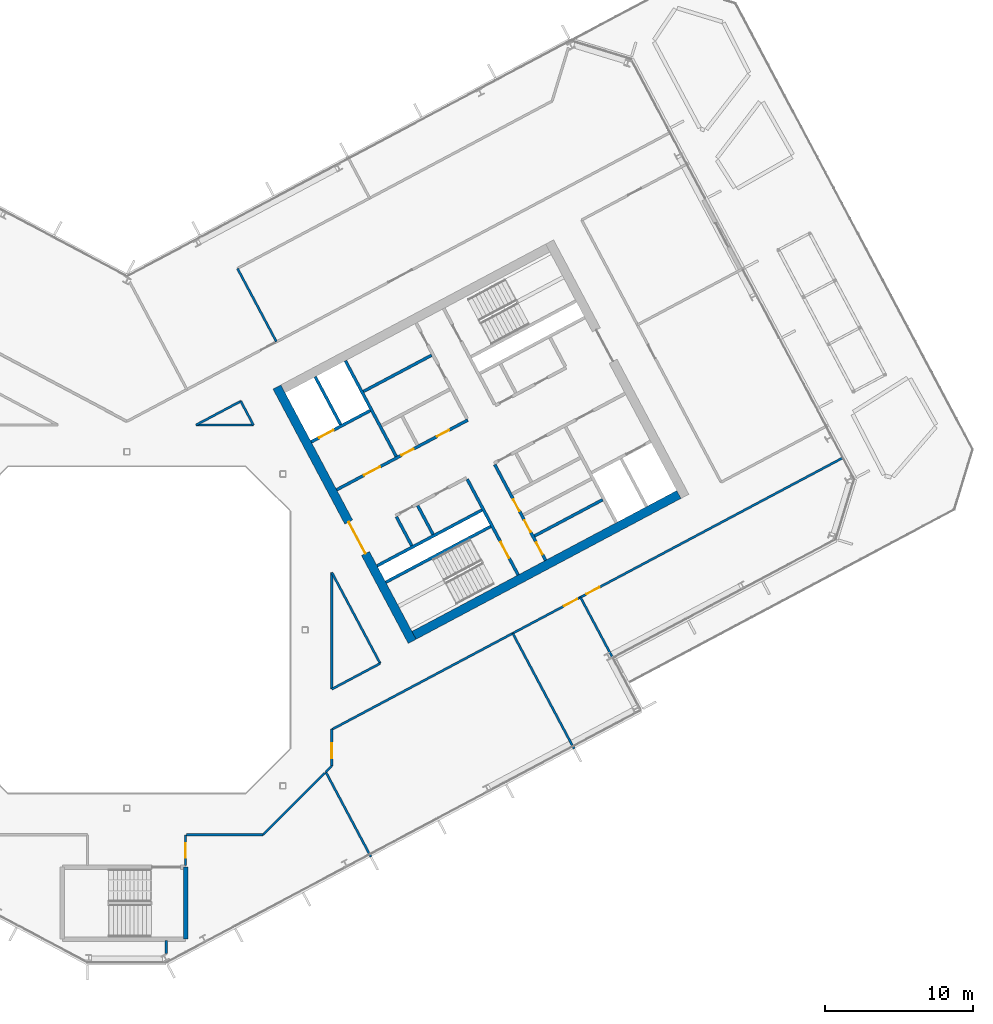
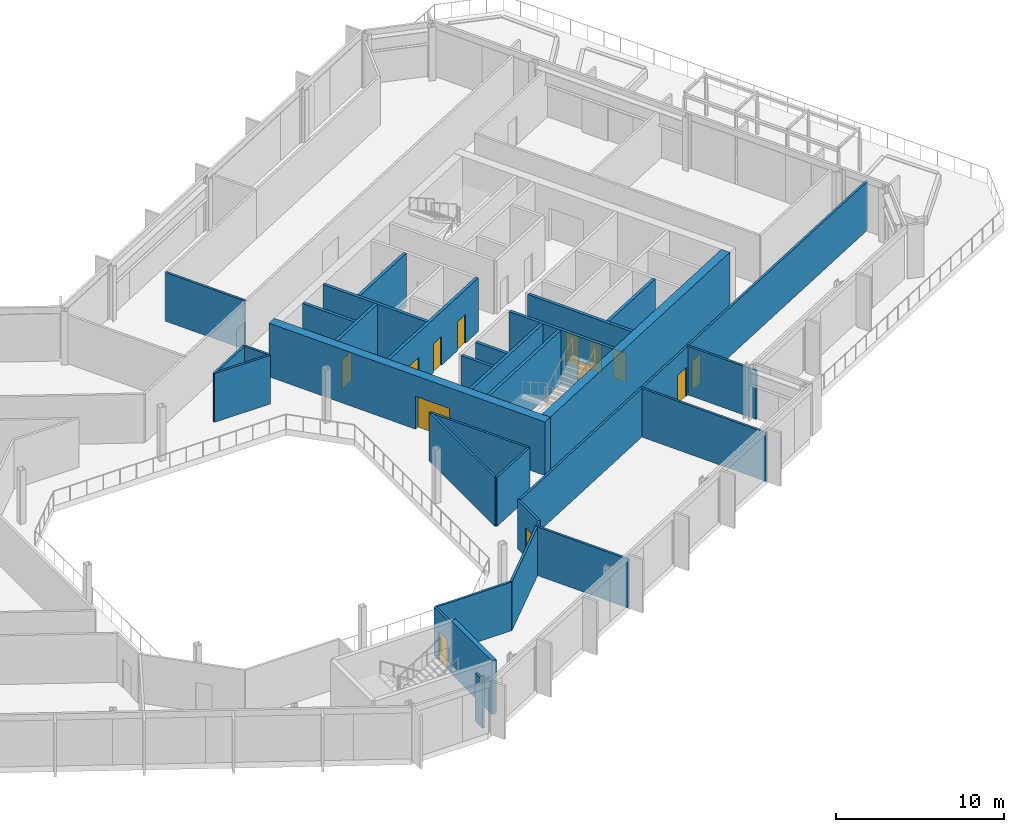
# One storey, part 18 of 31: 32 walls, 13 doors, 13 openings.
"""IFC4 building model written with IfcOpenShell, lengths in metres."""

import ifcopenshell
import ifcopenshell.guid

model = None  # the IFC model being written
_history = None  # IfcOwnerHistory: only IFC2X3 demands one
_inside = {}  # id of a spatial element -> (the spatial element, [elements in it])
_under = {}  # id of a project, library or spatial element -> (it, [spatial elements below it])
_declared = {}  # id of a project -> (the project, [libraries it declares])
_typed = {}  # id of a type object -> (the type object, [elements of that type])
_made_of = {}  # id of a material, layer set ... -> (it, [elements and type objects made of it])


def new_model(schema):
    """Start an empty IFC model of exactly this schema.

    Asked for "IFC4X3", IfcOpenShell would pick the latest addendum, in which some entities
    have other attributes; the version numbers below select the first issue.
    IFC2X3 requires an IfcOwnerHistory on every rooted entity: one is made here for all.
    """
    global model, _history
    if schema == "IFC4X3":
        model = ifcopenshell.file(schema_version=(4, 3, 0, 0))
    else:
        model = ifcopenshell.file(schema=schema)
    _inside.clear()
    _under.clear()
    _declared.clear()
    _typed.clear()
    _made_of.clear()
    _history = None
    if model.schema == "IFC2X3":
        org = make("IfcOrganization", Name="unknown")
        user = make(
            "IfcPersonAndOrganization",
            ThePerson=make("IfcPerson", FamilyName="unknown"),
            TheOrganization=org,
        )
        app = make(
            "IfcApplication",
            ApplicationDeveloper=org,
            Version="unknown",
            ApplicationFullName="unknown",
            ApplicationIdentifier="unknown",
        )
        _history = make(
            "IfcOwnerHistory",
            OwningUser=user,
            OwningApplication=app,
            ChangeAction="ADDED",
            CreationDate=0,
        )
    return model


def make(cls, **values):
    """One entity of the class cls with the attributes given. An attribute that is None is left unset."""
    return model.create_entity(
        cls, **{name: value for name, value in values.items() if value is not None}
    )


def rooted(cls, **values):
    """An entity with a GlobalId (a new one), such as an element, a storey or a relation."""
    return make(cls, GlobalId=ifcopenshell.guid.new(), OwnerHistory=_history, **values)


def si_unit(unit_type, name, prefix=None):
    """IfcSIUnit, for example si_unit("LENGTHUNIT", "METRE", prefix="MILLI")."""
    return make("IfcSIUnit", UnitType=unit_type, Prefix=prefix, Name=name)


def assignment(units):
    """IfcUnitAssignment: the units of a project."""
    return None if units is None else make("IfcUnitAssignment", Units=units)


def point(xyz):
    """IfcCartesianPoint."""
    return None if xyz is None else make("IfcCartesianPoint", Coordinates=xyz)


def direction(xyz):
    """IfcDirection."""
    return None if xyz is None else make("IfcDirection", DirectionRatios=xyz)


def frame(location, z_axis=None, x_axis=None):
    """IfcAxis2Placement3D, a coordinate frame: its origin and axes. An axis left out is left unset."""
    return make(
        "IfcAxis2Placement3D",
        Location=point(location),
        Axis=direction(z_axis),
        RefDirection=direction(x_axis),
    )


def frame_2d(location, x_axis=None):
    """IfcAxis2Placement2D, a coordinate frame in the plane: its origin and x axis."""
    return make(
        "IfcAxis2Placement2D", Location=point(location), RefDirection=direction(x_axis)
    )


def origin():
    """The frame at (0, 0, 0) with its axes left unset."""
    return frame((0.0, 0.0, 0.0))


def place(relative_to, where):
    """IfcLocalPlacement: puts the frame where relative to a parent placement (None: the world)."""
    return make(
        "IfcLocalPlacement", PlacementRelTo=relative_to, RelativePlacement=where
    )


def context(
    kind, dimensions, precision=None, world=None, true_north=None, identifier=None
):
    """IfcGeometricRepresentationContext, for example the 3D "Model" context."""
    return make(
        "IfcGeometricRepresentationContext",
        ContextIdentifier=identifier,
        ContextType=kind,
        CoordinateSpaceDimension=dimensions,
        Precision=precision,
        WorldCoordinateSystem=world,
        TrueNorth=true_north,
    )


def subcontext(parent, identifier, kind, view, scale=None):
    """IfcGeometricRepresentationSubContext, for example "Body" below "Model"."""
    return make(
        "IfcGeometricRepresentationSubContext",
        ContextIdentifier=identifier,
        ContextType=kind,
        ParentContext=parent,
        TargetScale=scale,
        TargetView=view,
    )


def project(units=None, contexts=None):
    """IfcProject with its units and contexts."""
    return rooted(
        "IfcProject",
        Name="project",
        RepresentationContexts=contexts,
        UnitsInContext=assignment(units),
    )


def spatial(cls, under=None, at=None, **own):
    """A site, building, storey or space (cls), placed at a placement, below another one or the project."""
    s = rooted(cls, ObjectPlacement=at, **own)
    if under is not None:
        _under.setdefault(under.id(), (under, []))[1].append(s)
    return s


def profile(cls, at=None, kind="AREA", **sizes):
    """A parametric profile (cls). Its sizes go by their IFC names, for example OverallWidth=200.0."""
    return make(cls, ProfileType=kind, Position=at, **sizes)


def rectangle(**sizes):
    """IfcRectangleProfileDef."""
    return profile("IfcRectangleProfileDef", **sizes)


def extrude(swept, where, along, depth):
    """IfcExtrudedAreaSolid: the profile swept, set in the frame where, extruded along a direction by depth."""
    return make(
        "IfcExtrudedAreaSolid",
        SweptArea=swept,
        Position=where,
        ExtrudedDirection=direction(along),
        Depth=depth,
    )


def shape(context_of_items, identifier, shape_type, items):
    """IfcShapeRepresentation: the items that make up one representation, for example the "Body"."""
    return make(
        "IfcShapeRepresentation",
        ContextOfItems=context_of_items,
        RepresentationIdentifier=identifier,
        RepresentationType=shape_type,
        Items=items,
    )


def material(Name=None, Category=None):
    """IfcMaterial."""
    return make("IfcMaterial", Name=Name, Category=Category)


def layer(
    of_material, thickness, ventilated=None, Name=None, Category=None, Priority=None
):
    """IfcMaterialLayer: one layer of a wall or slab, of a material (None: an air gap)."""
    return make(
        "IfcMaterialLayer",
        Material=of_material,
        LayerThickness=thickness,
        IsVentilated=ventilated,
        Name=Name,
        Category=Category,
        Priority=Priority,
    )


def layer_set(layers, Name=None):
    """IfcMaterialLayerSet."""
    return make("IfcMaterialLayerSet", MaterialLayers=layers, LayerSetName=Name)


def made_of(thing, what):
    """Note that an element or type object is made of a material, layer set ...; save() writes the relation."""
    if what is not None:
        _made_of.setdefault(what.id(), (what, []))[1].append(thing)
    return thing


def type_object(cls, material=None, **own):
    """A type object (cls), such as IfcWallType, which elements share."""
    return made_of(rooted(cls, **own), material)


def element(
    cls,
    number,
    at=None,
    inside=None,
    cuts=None,
    type_object=None,
    material=None,
    context=None,
    identifier="Body",
    shape_type=None,
    held_by="IfcProductDefinitionShape",
    body=None,
    shapes=None,
    **own,
):
    """One element of the class cls, such as IfcWall. Its Tag is "e" and its number.

    at: its placement. inside: the storey or other place that contains it. cuts: it is an
    opening in that element (IfcRelVoidsElement). A single representation is given by context,
    identifier, shape_type and body (its items); several are given by shapes. held_by: the class
    of the entity that holds the representations. save() writes the other relations.
    """
    e = rooted(cls, Tag="e%d" % number, ObjectPlacement=at, **own)
    if body is not None:
        shapes = [shape(context, identifier, shape_type, body)]
    if shapes is not None:
        e.Representation = make(held_by, Representations=shapes)
    if inside is not None:
        _inside.setdefault(inside.id(), (inside, []))[1].append(e)
    if cuts is not None:
        rooted(
            "IfcRelVoidsElement", RelatingBuildingElement=cuts, RelatedOpeningElement=e
        )
    if type_object is not None:
        _typed.setdefault(type_object.id(), (type_object, []))[1].append(e)
    return made_of(e, material)


def fill(opening, filler):
    """IfcRelFillsElement: the door or window that sits in an opening."""
    return rooted(
        "IfcRelFillsElement",
        RelatingOpeningElement=opening,
        RelatedBuildingElement=filler,
    )


def aggregate(whole, parts):
    """IfcRelAggregates: a whole, such as a stair, and the parts it consists of."""
    return rooted("IfcRelAggregates", RelatingObject=whole, RelatedObjects=parts)


def save(model, path):
    """Write the relations noted so far, then the file.

    IfcRelAggregates (storeys below a building ...), IfcRelContainedInSpatialStructure (elements
    in a storey), IfcRelDefinesByType, IfcRelAssociatesMaterial and IfcRelDeclares: one each for
    every whole, place, type object, material and project.
    """
    for whole, parts in _under.values():
        aggregate(whole, parts)
    for where, things in _inside.values():
        rooted(
            "IfcRelContainedInSpatialStructure",
            RelatedElements=things,
            RelatingStructure=where,
        )
    for kind, things in _typed.values():
        rooted("IfcRelDefinesByType", RelatedObjects=things, RelatingType=kind)
    for what, things in _made_of.values():
        rooted("IfcRelAssociatesMaterial", RelatedObjects=things, RelatingMaterial=what)
    for by, libraries in _declared.values():
        rooted("IfcRelDeclares", RelatingContext=by, RelatedDefinitions=libraries)
    model.write(path)


model = new_model("IFC4")

# Units and contexts
model_context = context("Model", 3, precision=1e-05, world=origin(), true_north=direction((0.0, 1.0)))
body_context = subcontext(model_context, "Body", "Model", "MODEL_VIEW")
ifc_project = project(units=[si_unit("LENGTHUNIT", "METRE"), si_unit("AREAUNIT", "SQUARE_METRE"), si_unit("VOLUMEUNIT", "CUBIC_METRE"), si_unit("PLANEANGLEUNIT", "RADIAN"), si_unit("MASSUNIT", "GRAM", prefix="KILO")], contexts=[model_context])

# Site, building, storey
site_placement = place(None, origin())
site = spatial("IfcSite", under=ifc_project, at=site_placement, CompositionType="ELEMENT")
building_placement = place(site_placement, origin())
building = spatial("IfcBuilding", under=site, at=building_placement, Name="Cormorant Relay Tower", CompositionType="ELEMENT")
storey_placement = place(building_placement, frame((0.0, 0.0, 189.60009765625)))
storey = spatial("IfcBuildingStorey", under=building, at=storey_placement, Name="L40", CompositionType="ELEMENT", Elevation=189.60009765625)

# Walls
ifc_material_1 = material(Name="Concrete 40 MPa", Category="concrete")
ifc_layer_1 = layer(ifc_material_1, 0.199951171875)
ifc_layer_set_1 = layer_set([ifc_layer_1], Name="Core internal wall 200")
wall_type_1 = type_object("IfcWallType", Name="Core internal wall 200", PredefinedType="SOLIDWALL", material=ifc_layer_set_1)
wall_1_placement = place(storey_placement, frame((20.614013671875, 6.430419921875, 0.0), z_axis=(0.0, 0.0, 1.0), x_axis=(-0.4694473164, 0.882960484464, 0.0)))
element("IfcWall", 1, at=wall_1_placement, inside=storey, type_object=wall_type_1, Name="L40 core B shaft and room wall", PredefinedType="SOLIDWALL", context=body_context, shape_type="SweptSolid", body=[
    extrude(rectangle(XDim=2.199951171875, YDim=0.199951171875, at=frame_2d((1.10009765625, 0.0))), origin(), (0.0, 0.0, 1.0), 3.89990234375),
])
for number, where, z_axis, x_axis, name in (
    (2, (27.443359375, 6.32421875, 0.0), (0.0, 0.0, 1.0), (0.882953967957, 0.469459572775, 0.0), "L40 core B shaft and room wall"),
    (3, (15.92626953125, 16.056396484375, 0.0), (0.0, 0.0, 1.0), (0.882953967957, 0.469459572775, 0.0), "L40 core B shaft and room wall"),
):
    element("IfcWall", number, at=place(storey_placement, frame(where, z_axis=z_axis, x_axis=x_axis)), inside=storey, type_object=wall_type_1, Name=name, PredefinedType="SOLIDWALL", context=body_context, shape_type="SweptSolid", body=[
        extrude(rectangle(XDim=5.199951171875, YDim=0.199951171875, at=frame_2d((2.60009765625, 0.0))), origin(), (0.0, 0.0, 1.0), 3.89990234375),
    ])
ifc_material_2 = material(Name="Concrete 50 MPa", Category="concrete")
ifc_layer_2 = layer(ifc_material_2, 0.199951171875)
ifc_layer_set_2 = layer_set([ifc_layer_2], Name="Core shaft wall 200")
wall_type_2 = type_object("IfcWallType", Name="Core shaft wall 200", PredefinedType="SHEAR", material=ifc_layer_set_2)
wall_2_placement = place(storey_placement, frame((14.39404296875, 13.825927734375, 0.0), z_axis=(0.0, 0.0, 1.0), x_axis=(-0.469494272526, 0.882935517501, 0.0)))
element("IfcWall", 4, at=wall_2_placement, inside=storey, type_object=wall_type_2, Name="L40 core B shaft wall", PredefinedType="SHEAR", context=body_context, shape_type="SweptSolid", body=[
    extrude(rectangle(XDim=3.64990234375, YDim=0.199951171875, at=frame_2d((1.824951171875, 0.0))), origin(), (0.0, 0.0, 1.0), 3.89990234375),
])
wall_3_placement = place(storey_placement, frame((19.18359375, 5.669921875, 0.0), z_axis=(0.0, 0.0, 1.0), x_axis=(-0.4694473164, 0.882960484464, 0.0)))
element("IfcWall", 5, at=wall_3_placement, inside=storey, type_object=wall_type_2, Name="L40 core B shaft wall", PredefinedType="SHEAR", context=body_context, shape_type="SweptSolid", body=[
    extrude(rectangle(XDim=2.199951171875, YDim=0.199951171875, at=frame_2d((1.10009765625, 0.0))), origin(), (0.0, 0.0, 1.0), 3.89990234375),
])
wall_4_placement = place(storey_placement, frame((18.138427734375, 11.682861328125, 0.0), z_axis=(0.0, 0.0, 1.0), x_axis=(-0.469480409012, 0.88294288918, 0.0)))
element("IfcWall", 6, at=wall_4_placement, inside=storey, type_object=wall_type_2, Name="L40 core B shaft wall", PredefinedType="SHEAR", context=body_context, shape_type="SweptSolid", body=[
    extrude(rectangle(XDim=7.300048828125, YDim=0.199951171875, at=frame_2d((3.64990234375, 0.0))), origin(), (0.0, 0.0, 1.0), 3.89990234375),
])

# Wall, opening, door
wall_5_placement = place(storey_placement, frame((26.345947265625, 3.701904296875, 0.0), z_axis=(0.0, 0.0, 1.0), x_axis=(-0.469480409012, 0.88294288918, 0.0)))
wall_5 = element("IfcWall", 7, at=wall_5_placement, inside=storey, type_object=wall_type_2, Name="L40 core B shaft wall", PredefinedType="SHEAR", context=body_context, shape_type="SweptSolid", body=[
    extrude(rectangle(XDim=7.300048828125, YDim=0.199951171875, at=frame_2d((3.64990234375, 0.0))), origin(), (0.0, 0.0, 1.0), 3.89990234375),
])
opening_1_placement = place(wall_5_placement, frame((1.300048828125, 0.0, 0.0)))
opening_1 = element("IfcOpeningElement", 8, at=opening_1_placement, cuts=wall_5, Name="Opening CDB-040", PredefinedType="OPENING", context=body_context, shape_type="SweptSolid", body=[
    extrude(rectangle(XDim=1.199951171875, YDim=2.10009765625, at=frame_2d((0.60009765625, 1.050048828125))), frame((0.0, 0.10986328125, 0.0), z_axis=(0.0, -1.0, 0.0), x_axis=(1.0, 0.0, 0.0)), (0.0, 0.0, 1.0), 0.219970703125),
])
ifc_material_3 = material(Name="Steel fire door", Category="steel")
door_type_1 = type_object("IfcDoorType", Name="Core stair door 1200x2100", OperationType="SINGLE_SWING_LEFT", PredefinedType="DOOR", material=ifc_material_3)
door_1_placement = place(opening_1_placement, origin())
door_1 = element("IfcDoor", 9, at=door_1_placement, inside=storey, type_object=door_type_1, Name="Core stair door 1200x2100", OperationType="SINGLE_SWING_RIGHT", OverallHeight=2.10009765625, OverallWidth=1.199951171875, PredefinedType="DOOR", context=body_context, shape_type="SweptSolid", body=[
    extrude(rectangle(XDim=1.199951171875, YDim=2.10009765625, at=frame_2d((0.60009765625, 1.050048828125))), frame((0.0, 0.02490234375, 0.0), z_axis=(0.0, -1.0, 0.0), x_axis=(1.0, 0.0, 0.0)), (0.0, 0.0, 1.0), 0.050048828125),
])
fill(opening_1, door_1)

# Wall, openings, doors
wall_6_placement = place(storey_placement, frame((28.199951171875, 4.687744140625, 0.0), z_axis=(0.0, 0.0, 1.0), x_axis=(-0.469454336211, 0.882956752176, 0.0)))
wall_6 = element("IfcWall", 10, at=wall_6_placement, inside=storey, type_object=wall_type_2, Name="L40 core B shaft wall", PredefinedType="SHEAR", context=body_context, shape_type="SweptSolid", body=[
    extrude(rectangle(XDim=7.300048828125, YDim=0.199951171875, at=frame_2d((3.64990234375, 0.0))), origin(), (0.0, 0.0, 1.0), 3.89990234375),
])
opening_2_placement = place(wall_6_placement, frame((0.449951171875, 0.0, 0.0)))
opening_2 = element("IfcOpeningElement", 11, at=opening_2_placement, cuts=wall_6, Name="Opening CDD-251", PredefinedType="OPENING", context=body_context, shape_type="SweptSolid", body=[
    extrude(rectangle(XDim=0.89990234375, YDim=2.10009765625, at=frame_2d((0.449951171875, 1.050048828125))), frame((0.0, 0.10986328125, 0.0), z_axis=(0.0, -1.0, 0.0), x_axis=(1.0, 0.0, 0.0)), (0.0, 0.0, 1.0), 0.219970703125),
])
opening_3_placement = place(wall_6_placement, frame((2.14990234375, 0.0, 0.0)))
opening_3 = element("IfcOpeningElement", 12, at=opening_3_placement, cuts=wall_6, Name="Opening CDD-252", PredefinedType="OPENING", context=body_context, shape_type="SweptSolid", body=[
    extrude(rectangle(XDim=0.89990234375, YDim=2.10009765625, at=frame_2d((0.449951171875, 1.050048828125))), frame((0.0, 0.10986328125, 0.0), z_axis=(0.0, -1.0, 0.0), x_axis=(1.0, 0.0, 0.0)), (0.0, 0.0, 1.0), 0.219970703125),
])
opening_4_placement = place(wall_6_placement, frame((3.75, 0.0, 0.0)))
opening_4 = element("IfcOpeningElement", 13, at=opening_4_placement, cuts=wall_6, Name="Opening CDD-253", PredefinedType="OPENING", context=body_context, shape_type="SweptSolid", body=[
    extrude(rectangle(XDim=0.89990234375, YDim=2.10009765625, at=frame_2d((0.449951171875, 1.050048828125))), frame((0.0, 0.10986328125, 0.0), z_axis=(0.0, -1.0, 0.0), x_axis=(1.0, 0.0, 0.0)), (0.0, 0.0, 1.0), 0.219970703125),
])
ifc_material_4 = material(Name="Steel fire door", Category="steel")
door_type_2 = type_object("IfcDoorType", Name="Core room door 900x2100", OperationType="SINGLE_SWING_LEFT", PredefinedType="DOOR", material=ifc_material_4)
door_2_placement = place(opening_2_placement, frame((0.89990234375, 0.0, 0.0), z_axis=(0.0, 0.0, 1.0), x_axis=(-1.0, 0.0, 0.0)))
door_2 = element("IfcDoor", 14, at=door_2_placement, inside=storey, type_object=door_type_2, Name="Core room door 900x2100", OperationType="SINGLE_SWING_LEFT", OverallHeight=2.10009765625, OverallWidth=0.89990234375, PredefinedType="DOOR", context=body_context, shape_type="SweptSolid", body=[
    extrude(rectangle(XDim=0.89990234375, YDim=2.10009765625, at=frame_2d((0.449951171875, 1.050048828125))), frame((0.0, 0.02490234375, 0.0), z_axis=(0.0, -1.0, 0.0), x_axis=(1.0, 0.0, 0.0)), (0.0, 0.0, 1.0), 0.050048828125),
])
fill(opening_2, door_2)
door_3_placement = place(opening_3_placement, frame((0.89990234375, 0.0, 0.0), z_axis=(0.0, 0.0, 1.0), x_axis=(-1.0, 0.0, 0.0)))
door_3 = element("IfcDoor", 15, at=door_3_placement, inside=storey, type_object=door_type_2, Name="Core room door 900x2100", OperationType="SINGLE_SWING_LEFT", OverallHeight=2.10009765625, OverallWidth=0.89990234375, PredefinedType="DOOR", context=body_context, shape_type="SweptSolid", body=[
    extrude(rectangle(XDim=0.89990234375, YDim=2.10009765625, at=frame_2d((0.449951171875, 1.050048828125))), frame((0.0, 0.02490234375, 0.0), z_axis=(0.0, -1.0, 0.0), x_axis=(1.0, 0.0, 0.0)), (0.0, 0.0, 1.0), 0.050048828125),
])
fill(opening_3, door_3)
door_4_placement = place(opening_4_placement, frame((0.89990234375, 0.0, 0.0), z_axis=(0.0, 0.0, 1.0), x_axis=(-1.0, 0.0, 0.0)))
door_4 = element("IfcDoor", 16, at=door_4_placement, inside=storey, type_object=door_type_2, Name="Core room door 900x2100", OperationType="SINGLE_SWING_LEFT", OverallHeight=2.10009765625, OverallWidth=0.89990234375, PredefinedType="DOOR", context=body_context, shape_type="SweptSolid", body=[
    extrude(rectangle(XDim=0.89990234375, YDim=2.10009765625, at=frame_2d((0.449951171875, 1.050048828125))), frame((0.0, 0.02490234375, 0.0), z_axis=(0.0, -1.0, 0.0), x_axis=(1.0, 0.0, 0.0)), (0.0, 0.0, 1.0), 0.050048828125),
])
fill(opening_4, door_4)

# Walls
for number, where, z_axis, x_axis, name in (
    (17, (17.43359375, 3.210205078125, 0.0), (0.0, 0.0, 1.0), (0.882940221191, 0.469485426614, 0.0), "L40 core B shaft wall"),
    (18, (16.8466796875, 4.31396484375, 0.0), (0.0, 0.0, 1.0), (0.882940221191, 0.469485426614, 0.0), "L40 core B shaft wall"),
):
    element("IfcWall", number, at=place(storey_placement, frame(where, z_axis=z_axis, x_axis=x_axis)), inside=storey, type_object=wall_type_2, Name=name, PredefinedType="SHEAR", context=body_context, shape_type="SweptSolid", body=[
        extrude(rectangle(XDim=8.0, YDim=0.199951171875, at=frame_2d((4.0, 0.0))), origin(), (0.0, 0.0, 1.0), 3.89990234375),
    ])

# Wall, openings, doors
wall_7_placement = place(storey_placement, frame((14.123779296875, 9.43505859375, 0.0), z_axis=(0.0, 0.0, 1.0), x_axis=(0.882940221191, 0.469485426614, 0.0)))
wall_7 = element("IfcWall", 19, at=wall_7_placement, inside=storey, type_object=wall_type_2, Name="L40 core B shaft wall", PredefinedType="SHEAR", context=body_context, shape_type="SweptSolid", body=[
    extrude(rectangle(XDim=10.0, YDim=0.199951171875, at=frame_2d((5.0, 0.0))), origin(), (0.0, 0.0, 1.0), 3.89990234375),
])
opening_5_placement = place(wall_7_placement, frame((2.10009765625, 0.0, 0.0)))
opening_5 = element("IfcOpeningElement", 20, at=opening_5_placement, cuts=wall_7, Name="Opening CDC-035", PredefinedType="OPENING", context=body_context, shape_type="SweptSolid", body=[
    extrude(rectangle(XDim=1.199951171875, YDim=2.10009765625, at=frame_2d((0.60009765625, 1.050048828125))), frame((0.0, 0.10986328125, 0.0), z_axis=(0.0, -1.0, 0.0), x_axis=(1.0, 0.0, 0.0)), (0.0, 0.0, 1.0), 0.219970703125),
])
opening_6_placement = place(wall_7_placement, frame((4.9599609375, 0.0, 0.0)))
opening_6 = element("IfcOpeningElement", 21, at=opening_6_placement, cuts=wall_7, Name="Opening CDD-241", PredefinedType="OPENING", context=body_context, shape_type="SweptSolid", body=[
    extrude(rectangle(XDim=0.89990234375, YDim=2.10009765625, at=frame_2d((0.449951171875, 1.050048828125))), frame((0.0, 0.10986328125, 0.0), z_axis=(0.0, -1.0, 0.0), x_axis=(1.0, 0.0, 0.0)), (0.0, 0.0, 1.0), 0.219970703125),
])
opening_7_placement = place(wall_7_placement, frame((7.659912109375, 0.0, 0.0)))
opening_7 = element("IfcOpeningElement", 22, at=opening_7_placement, cuts=wall_7, Name="Opening CDD-242", PredefinedType="OPENING", context=body_context, shape_type="SweptSolid", body=[
    extrude(rectangle(XDim=0.89990234375, YDim=2.10009765625, at=frame_2d((0.449951171875, 1.050048828125))), frame((0.0, 0.10986328125, 0.0), z_axis=(0.0, -1.0, 0.0), x_axis=(1.0, 0.0, 0.0)), (0.0, 0.0, 1.0), 0.219970703125),
])
ifc_material_5 = material(Name="Steel fire door", Category="steel")
door_type_3 = type_object("IfcDoorType", Name="Core lobby door 1200x2100", OperationType="SINGLE_SWING_LEFT", PredefinedType="DOOR", material=ifc_material_5)
door_5_placement = place(opening_5_placement, frame((1.199951171875, 0.0, 0.0), z_axis=(0.0, 0.0, 1.0), x_axis=(-1.0, 0.0, 0.0)))
door_5 = element("IfcDoor", 23, at=door_5_placement, inside=storey, type_object=door_type_3, Name="Core lobby door 1200x2100", OperationType="SINGLE_SWING_RIGHT", OverallHeight=2.10009765625, OverallWidth=1.199951171875, PredefinedType="DOOR", context=body_context, shape_type="SweptSolid", body=[
    extrude(rectangle(XDim=1.199951171875, YDim=2.10009765625, at=frame_2d((0.60009765625, 1.050048828125))), frame((0.0, 0.02490234375, 0.0), z_axis=(0.0, -1.0, 0.0), x_axis=(1.0, 0.0, 0.0)), (0.0, 0.0, 1.0), 0.050048828125),
])
fill(opening_5, door_5)
door_6_placement = place(opening_6_placement, frame((0.89990234375, 0.0, 0.0), z_axis=(0.0, 0.0, 1.0), x_axis=(-1.0, 0.0, 0.0)))
door_6 = element("IfcDoor", 24, at=door_6_placement, inside=storey, type_object=door_type_2, Name="Core room door 900x2100", OperationType="SINGLE_SWING_RIGHT", OverallHeight=2.10009765625, OverallWidth=0.89990234375, PredefinedType="DOOR", context=body_context, shape_type="SweptSolid", body=[
    extrude(rectangle(XDim=0.89990234375, YDim=2.10009765625, at=frame_2d((0.449951171875, 1.050048828125))), frame((0.0, 0.02490234375, 0.0), z_axis=(0.0, -1.0, 0.0), x_axis=(1.0, 0.0, 0.0)), (0.0, 0.0, 1.0), 0.050048828125),
])
fill(opening_6, door_6)
door_7_placement = place(opening_7_placement, frame((0.89990234375, 0.0, 0.0), z_axis=(0.0, 0.0, 1.0), x_axis=(-1.0, 0.0, 0.0)))
door_7 = element("IfcDoor", 25, at=door_7_placement, inside=storey, type_object=door_type_2, Name="Core room door 900x2100", OperationType="SINGLE_SWING_RIGHT", OverallHeight=2.10009765625, OverallWidth=0.89990234375, PredefinedType="DOOR", context=body_context, shape_type="SweptSolid", body=[
    extrude(rectangle(XDim=0.89990234375, YDim=2.10009765625, at=frame_2d((0.449951171875, 1.050048828125))), frame((0.0, 0.02490234375, 0.0), z_axis=(0.0, -1.0, 0.0), x_axis=(1.0, 0.0, 0.0)), (0.0, 0.0, 1.0), 0.050048828125),
])
fill(opening_7, door_7)

# Wall, opening, door
wall_8_placement = place(storey_placement, frame((12.41015625, 12.657958984375, 0.0), z_axis=(0.0, 0.0, 1.0), x_axis=(0.8829484765, 0.469469900894, 0.0)))
wall_8 = element("IfcWall", 26, at=wall_8_placement, inside=storey, type_object=wall_type_2, Name="L40 core B shaft wall", PredefinedType="SHEAR", context=body_context, shape_type="SweptSolid", body=[
    extrude(rectangle(XDim=4.499755859375, YDim=0.199951171875, at=frame_2d((2.25, 0.0))), origin(), (0.0, 0.0, 1.0), 3.89990234375),
])
opening_8_placement = place(wall_8_placement, frame((0.60009765625, 0.0, 0.0)))
opening_8 = element("IfcOpeningElement", 27, at=opening_8_placement, cuts=wall_8, Name="Opening LD1-064", PredefinedType="OPENING", context=body_context, shape_type="SweptSolid", body=[
    extrude(rectangle(XDim=1.10009765625, YDim=2.10009765625, at=frame_2d((0.550048828125, 1.050048828125))), frame((0.0, 0.10986328125, 0.0), z_axis=(0.0, -1.0, 0.0), x_axis=(1.0, 0.0, 0.0)), (0.0, 0.0, 1.0), 0.219970703125),
])
ifc_material_6 = material(Name="Stainless steel 316", Category="steel")
door_type_4 = type_object("IfcDoorType", Name="Lift landing door 1100x2100", OperationType="DOUBLE_DOOR_SLIDING", PredefinedType="DOOR", material=ifc_material_6)
door_8_placement = place(opening_8_placement, origin())
door_8 = element("IfcDoor", 28, at=door_8_placement, inside=storey, type_object=door_type_4, Name="FF2 landing door", OperationType="DOUBLE_DOOR_SLIDING", OverallHeight=2.10009765625, OverallWidth=1.10009765625, PredefinedType="DOOR", context=body_context, shape_type="SweptSolid", body=[
    extrude(rectangle(XDim=1.10009765625, YDim=2.10009765625, at=frame_2d((0.550048828125, 1.050048828125))), frame((0.0, 0.02490234375, 0.0), z_axis=(0.0, -1.0, 0.0), x_axis=(1.0, 0.0, 0.0)), (0.0, 0.0, 1.0), 0.050048828125),
])
fill(opening_8, door_8)

ifc_material_7 = material(Name="Concrete 50 MPa", Category="concrete")
ifc_layer_3 = layer(ifc_material_7, 0.60009765625)
ifc_layer_set_3 = layer_set([ifc_layer_3], Name="Core wall 600")
wall_type_3 = type_object("IfcWallType", Name="Core wall 600", PredefinedType="SHEAR", material=ifc_layer_set_3)
wall_9_placement = place(storey_placement, frame((19.210693359375, -0.771484375, 0.0), z_axis=(0.0, 0.0, 1.0), x_axis=(-0.469463742137, 0.882951751127, 0.0)))
wall_9 = element("IfcWall", 29, at=wall_9_placement, inside=storey, type_object=wall_type_3, Name="L40 core B wall", PredefinedType="SHEAR", context=body_context, shape_type="SweptSolid", body=[
    extrude(rectangle(XDim=19.400146484375, YDim=0.60009765625, at=frame_2d((9.7001953125, 0.0))), origin(), (0.0, 0.0, 1.0), 3.89990234375),
])
opening_9_placement = place(wall_9_placement, frame((6.699951171875, 0.0, 0.0)))
opening_9 = element("IfcOpeningElement", 30, at=opening_9_placement, cuts=wall_9, Name="Opening CDA-042", PredefinedType="OPENING", context=body_context, shape_type="SweptSolid", body=[
    extrude(rectangle(XDim=2.39990234375, YDim=2.39990234375, at=frame_2d((1.199951171875, 1.199951171875))), frame((0.0, 0.31005859375, 0.0), z_axis=(0.0, -1.0, 0.0), x_axis=(1.0, 0.0, 0.0)), (0.0, 0.0, 1.0), 0.6201171875),
])
ifc_material_8 = material(Name="Steel fire door", Category="steel")
door_type_5 = type_object("IfcDoorType", Name="Core lobby door 2400x2400", OperationType="DOUBLE_DOOR_SINGLE_SWING", PredefinedType="DOOR", material=ifc_material_8)
door_9_placement = place(opening_9_placement, frame((2.39990234375, 0.0, 0.0), z_axis=(0.0, 0.0, 1.0), x_axis=(-1.0, 0.0, 0.0)))
door_9 = element("IfcDoor", 31, at=door_9_placement, inside=storey, type_object=door_type_5, Name="Core lobby door 2400x2400", OperationType="DOUBLE_DOOR_SINGLE_SWING", OverallHeight=2.39990234375, OverallWidth=2.39990234375, PredefinedType="DOOR", context=body_context, shape_type="SweptSolid", body=[
    extrude(rectangle(XDim=2.39990234375, YDim=2.39990234375, at=frame_2d((1.199951171875, 1.199951171875))), frame((0.0, 0.02490234375, 0.0), z_axis=(0.0, -1.0, 0.0), x_axis=(1.0, 0.0, 0.0)), (0.0, 0.0, 1.0), 0.050048828125),
])
fill(opening_9, door_9)

# Wall
wall_10_placement = place(storey_placement, frame((19.3349609375, -0.36572265625, 0.0), z_axis=(0.0, 0.0, 1.0), x_axis=(0.88294509198, 0.469476266226, 0.0)))
element("IfcWall", 32, at=wall_10_placement, inside=storey, type_object=wall_type_3, Name="L40 core B wall", PredefinedType="SHEAR", context=body_context, shape_type="SweptSolid", body=[
    extrude(rectangle(XDim=20.199951171875, YDim=0.60009765625, at=frame_2d((10.10009765625, 0.0))), origin(), (0.0, 0.0, 1.0), 3.89990234375),
])

# Wall, opening, door
ifc_material_9 = material(Name="Gypsum board fire partition")
ifc_layer_4 = layer(ifc_material_9, 0.14990234375)
ifc_layer_set_4 = layer_set([ifc_layer_4], Name="Corridor partition 150 EI 60")
wall_type_4 = type_object("IfcWallType", Name="Corridor partition 150 EI 60", PredefinedType="PARTITIONING", material=ifc_layer_set_4)
wall_11_placement = place(storey_placement, frame((3.949951171875, -13.800048828125, 0.0), z_axis=(0.0, 0.0, 1.0), x_axis=(0.0, -1.0, 0.0)))
wall_11 = element("IfcWall", 33, at=wall_11_placement, inside=storey, type_object=wall_type_4, Name="wall/L40/part/026", PredefinedType="PARTITIONING", context=body_context, shape_type="SweptSolid", body=[
    extrude(rectangle(XDim=2.074951171875, YDim=0.14990234375, at=frame_2d((1.03759765625, 0.0))), origin(), (0.0, 0.0, 1.0), 3.539794921875),
])
opening_10_placement = place(wall_11_placement, frame((0.550048828125, 0.0, 0.0)))
opening_10 = element("IfcOpeningElement", 34, at=opening_10_placement, cuts=wall_11, Name="Opening DS-107", PredefinedType="OPENING", context=body_context, shape_type="SweptSolid", body=[
    extrude(rectangle(XDim=1.0, YDim=2.10009765625, at=frame_2d((0.5, 1.050048828125))), frame((0.0, 0.0849609375, 0.0), z_axis=(0.0, -1.0, 0.0), x_axis=(1.0, 0.0, 0.0)), (0.0, 0.0, 1.0), 0.169921875),
])
ifc_material_10 = material(Name="Timber door leaf", Category="wood")
door_type_6 = type_object("IfcDoorType", Name="Suite door 1000x2100", OperationType="SINGLE_SWING_LEFT", PredefinedType="DOOR", material=ifc_material_10)
door_10_placement = place(opening_10_placement, origin())
door_10 = element("IfcDoor", 35, at=door_10_placement, inside=storey, type_object=door_type_6, Name="door/L40/001", OperationType="SINGLE_SWING_LEFT", OverallHeight=2.10009765625, OverallWidth=1.0, PredefinedType="DOOR", context=body_context, shape_type="SweptSolid", body=[
    extrude(rectangle(XDim=1.0, YDim=2.10009765625, at=frame_2d((0.5, 1.050048828125))), frame((0.0, 0.02490234375, 0.0), z_axis=(0.0, -1.0, 0.0), x_axis=(1.0, 0.0, 0.0)), (0.0, 0.0, 1.0), 0.050048828125),
])
fill(opening_10, door_10)

# Walls
wall_12_placement = place(storey_placement, frame((13.3310546875, -9.62890625, 0.0), z_axis=(0.0, 0.0, 1.0), x_axis=(-0.707106781187, -0.707106781187, 0.0)))
element("IfcWall", 36, at=wall_12_placement, inside=storey, type_object=wall_type_4, Name="wall/L40/part/027", PredefinedType="PARTITIONING", context=body_context, shape_type="SweptSolid", body=[
    extrude(rectangle(XDim=5.89892578125, YDim=0.14990234375, at=frame_2d((2.949462890625, 0.0))), origin(), (0.0, 0.0, 1.0), 3.539794921875),
])
wall_13_placement = place(storey_placement, frame((9.159912109375, -13.800048828125, 0.0), z_axis=(0.0, 0.0, 1.0), x_axis=(-1.0, 0.0, 0.0)))
element("IfcWall", 37, at=wall_13_placement, inside=storey, type_object=wall_type_4, Name="wall/L40/part/028", PredefinedType="PARTITIONING", context=body_context, shape_type="SweptSolid", body=[
    extrude(rectangle(XDim=5.135009765625, YDim=0.14990234375, at=frame_2d((2.5673828125, 0.0))), origin(), (0.0, 0.0, 1.0), 3.539794921875),
])

# Wall, opening, door
wall_14_placement = place(storey_placement, frame((13.800048828125, -6.656005859375, 0.0), z_axis=(0.0, 0.0, 1.0), x_axis=(0.0, -1.0, 0.0)))
wall_14 = element("IfcWall", 38, at=wall_14_placement, inside=storey, type_object=wall_type_4, Name="wall/L40/part/032", PredefinedType="PARTITIONING", context=body_context, shape_type="SweptSolid", body=[
    extrude(rectangle(XDim=2.50390625, YDim=0.14990234375, at=frame_2d((1.251953125, 0.0))), origin(), (0.0, 0.0, 1.0), 3.539794921875),
])
opening_11_placement = place(wall_14_placement, frame((0.98193359375, 0.0, 0.0)))
opening_11 = element("IfcOpeningElement", 39, at=opening_11_placement, cuts=wall_14, Name="Opening DS-108", PredefinedType="OPENING", context=body_context, shape_type="SweptSolid", body=[
    extrude(rectangle(XDim=1.0, YDim=2.10009765625, at=frame_2d((0.5, 1.050048828125))), frame((0.0, 0.0849609375, 0.0), z_axis=(0.0, -1.0, 0.0), x_axis=(1.0, 0.0, 0.0)), (0.0, 0.0, 1.0), 0.169921875),
])
door_11_placement = place(opening_11_placement, origin())
door_11 = element("IfcDoor", 40, at=door_11_placement, inside=storey, type_object=door_type_6, Name="door/L40/002", OperationType="SINGLE_SWING_LEFT", OverallHeight=2.10009765625, OverallWidth=1.0, PredefinedType="DOOR", context=body_context, shape_type="SweptSolid", body=[
    extrude(rectangle(XDim=1.0, YDim=2.10009765625, at=frame_2d((0.5, 1.050048828125))), frame((0.0, 0.02490234375, 0.0), z_axis=(0.0, -1.0, 0.0), x_axis=(1.0, 0.0, 0.0)), (0.0, 0.0, 1.0), 0.050048828125),
])
fill(opening_11, door_11)

# Wall
wall_15_placement = place(storey_placement, frame((13.39501953125, -9.56494140625, 0.0), z_axis=(0.0, 0.0, 1.0), x_axis=(0.706254846232, 0.707957690949, 0.0)))
element("IfcWall", 41, at=wall_15_placement, inside=storey, type_object=wall_type_4, Name="wall/L40/part/033", PredefinedType="PARTITIONING", context=body_context, shape_type="SweptSolid", body=[
    extrude(rectangle(XDim=0.573486328125, YDim=0.14990234375, at=frame_2d((0.28662109375, 0.0))), origin(), (0.0, 0.0, 1.0), 3.539794921875),
])

# Wall, openings, doors
wall_16_placement = place(storey_placement, frame((48.3798828125, 11.678955078125, 0.0), z_axis=(0.0, 0.0, 1.0), x_axis=(-0.882962559816, -0.469443412951, 0.0)))
wall_16 = element("IfcWall", 42, at=wall_16_placement, inside=storey, type_object=wall_type_4, Name="wall/L40/part/035", PredefinedType="PARTITIONING", context=body_context, shape_type="SweptSolid", body=[
    extrude(rectangle(XDim=39.163330078125, YDim=0.14990234375, at=frame_2d((19.58154296875, 0.0))), origin(), (0.0, 0.0, 1.0), 3.539794921875),
])
opening_12_placement = place(wall_16_placement, frame((20.449951171875, 0.0, 0.0)))
opening_12 = element("IfcOpeningElement", 43, at=opening_12_placement, cuts=wall_16, Name="Opening DS-109", PredefinedType="OPENING", context=body_context, shape_type="SweptSolid", body=[
    extrude(rectangle(XDim=1.0, YDim=2.10009765625, at=frame_2d((0.5, 1.050048828125))), frame((0.0, 0.0849609375, 0.0), z_axis=(0.0, -1.0, 0.0), x_axis=(1.0, 0.0, 0.0)), (0.0, 0.0, 1.0), 0.169921875),
])
opening_13_placement = place(wall_16_placement, frame((18.75, 0.0, 0.0)))
opening_13 = element("IfcOpeningElement", 44, at=opening_13_placement, cuts=wall_16, Name="Opening DS-110", PredefinedType="OPENING", context=body_context, shape_type="SweptSolid", body=[
    extrude(rectangle(XDim=1.0, YDim=2.10009765625, at=frame_2d((0.5, 1.050048828125))), frame((0.0, 0.0849609375, 0.0), z_axis=(0.0, -1.0, 0.0), x_axis=(1.0, 0.0, 0.0)), (0.0, 0.0, 1.0), 0.169921875),
])
door_12_placement = place(opening_12_placement, origin())
door_12 = element("IfcDoor", 45, at=door_12_placement, inside=storey, type_object=door_type_6, Name="door/L40/003", OperationType="SINGLE_SWING_LEFT", OverallHeight=2.10009765625, OverallWidth=1.0, PredefinedType="DOOR", context=body_context, shape_type="SweptSolid", body=[
    extrude(rectangle(XDim=1.0, YDim=2.10009765625, at=frame_2d((0.5, 1.050048828125))), frame((0.0, 0.02490234375, 0.0), z_axis=(0.0, -1.0, 0.0), x_axis=(1.0, 0.0, 0.0)), (0.0, 0.0, 1.0), 0.050048828125),
])
fill(opening_12, door_12)
door_13_placement = place(opening_13_placement, origin())
door_13 = element("IfcDoor", 46, at=door_13_placement, inside=storey, type_object=door_type_6, Name="door/L40/004", OperationType="SINGLE_SWING_RIGHT", OverallHeight=2.10009765625, OverallWidth=1.0, PredefinedType="DOOR", context=body_context, shape_type="SweptSolid", body=[
    extrude(rectangle(XDim=1.0, YDim=2.10009765625, at=frame_2d((0.5, 1.050048828125))), frame((0.0, 0.02490234375, 0.0), z_axis=(0.0, -1.0, 0.0), x_axis=(1.0, 0.0, 0.0)), (0.0, 0.0, 1.0), 0.050048828125),
])
fill(opening_13, door_13)

# Walls
wall_17_placement = place(storey_placement, frame((4.653076171875, 13.800048828125, 0.0), z_axis=(0.0, 0.0, 1.0), x_axis=(1.0, 0.0, 0.0)))
element("IfcWall", 47, at=wall_17_placement, inside=storey, type_object=wall_type_4, Name="wall/L40/part/050", PredefinedType="PARTITIONING", context=body_context, shape_type="SweptSolid", body=[
    extrude(rectangle(XDim=3.864990234375, YDim=0.14990234375, at=frame_2d((1.9326171875, 0.0))), origin(), (0.0, 0.0, 1.0), 3.539794921875),
])
wall_18_placement = place(storey_placement, frame((8.51806640625, 13.800048828125, 0.0), z_axis=(0.0, 0.0, 1.0), x_axis=(-0.469148666032, 0.883119204389, 0.0)))
element("IfcWall", 48, at=wall_18_placement, inside=storey, type_object=wall_type_4, Name="wall/L40/part/051", PredefinedType="PARTITIONING", context=body_context, shape_type="SweptSolid", body=[
    extrude(rectangle(XDim=1.81396484375, YDim=0.14990234375, at=frame_2d((0.906982421875, 0.0))), origin(), (0.0, 0.0, 1.0), 3.539794921875),
])
wall_19_placement = place(storey_placement, frame((7.6669921875, 15.402099609375, 0.0), z_axis=(0.0, 0.0, 1.0), x_axis=(-0.883005489543, -0.469362658759, 0.0)))
element("IfcWall", 49, at=wall_19_placement, inside=storey, type_object=wall_type_4, Name="wall/L40/part/052", PredefinedType="PARTITIONING", context=body_context, shape_type="SweptSolid", body=[
    extrude(rectangle(XDim=3.413330078125, YDim=0.14990234375, at=frame_2d((1.70654296875, 0.0))), origin(), (0.0, 0.0, 1.0), 3.539794921875),
])
wall_20_placement = place(storey_placement, frame((17.055908203125, -2.257080078125, 0.0), z_axis=(0.0, 0.0, 1.0), x_axis=(-0.469433160251, 0.882968010778, 0.0)))
element("IfcWall", 50, at=wall_20_placement, inside=storey, type_object=wall_type_4, Name="wall/L40/part/053", PredefinedType="PARTITIONING", context=body_context, shape_type="SweptSolid", body=[
    extrude(rectangle(XDim=6.935791015625, YDim=0.14990234375, at=frame_2d((3.4677734375, 0.0))), origin(), (0.0, 0.0, 1.0), 3.539794921875),
])
wall_21_placement = place(storey_placement, frame((13.800048828125, 3.866943359375, 0.0), z_axis=(0.0, 0.0, 1.0), x_axis=(0.0, -1.0, 0.0)))
element("IfcWall", 51, at=wall_21_placement, inside=storey, type_object=wall_type_4, Name="wall/L40/part/054", PredefinedType="PARTITIONING", context=body_context, shape_type="SweptSolid", body=[
    extrude(rectangle(XDim=7.85498046875, YDim=0.14990234375, at=frame_2d((3.927490234375, 0.0))), origin(), (0.0, 0.0, 1.0), 3.539794921875),
])
wall_22_placement = place(storey_placement, frame((13.800048828125, -3.988037109375, 0.0), z_axis=(0.0, 0.0, 1.0), x_axis=(0.882971660552, 0.469426295239, 0.0)))
element("IfcWall", 52, at=wall_22_placement, inside=storey, type_object=wall_type_4, Name="wall/L40/part/055", PredefinedType="PARTITIONING", context=body_context, shape_type="SweptSolid", body=[
    extrude(rectangle(XDim=3.6875, YDim=0.14990234375, at=frame_2d((1.84375, 0.0))), origin(), (0.0, 0.0, 1.0), 3.539794921875),
])
ifc_material_11 = material(Name="Concrete 50 MPa", Category="concrete")
ifc_layer_5 = layer(ifc_material_11, 0.300048828125)
ifc_layer_set_5 = layer_set([ifc_layer_5], Name="Remote stair wall 300")
wall_type_5 = type_object("IfcWallType", Name="Remote stair wall 300", PredefinedType="SHEAR", material=ifc_layer_set_5)
wall_23_placement = place(storey_placement, frame((3.949951171875, -15.97509765625, 0.0), z_axis=(0.0, 0.0, 1.0), x_axis=(0.0, -1.0, 0.0)))
element("IfcWall", 53, at=wall_23_placement, inside=storey, type_object=wall_type_5, Name="L40 exit stair RK1 wall", PredefinedType="SHEAR", context=body_context, shape_type="SweptSolid", body=[
    extrude(rectangle(XDim=4.849853515625, YDim=0.300048828125, at=frame_2d((2.4248046875, 0.0))), origin(), (0.0, 0.0, 1.0), 3.89990234375),
])
ifc_material_12 = material(Name="Gypsum board partition")
ifc_layer_6 = layer(ifc_material_12, 0.14990234375)
ifc_layer_set_6 = layer_set([ifc_layer_6], Name="Tenant partition 150")
wall_type_6 = type_object("IfcWallType", Name="Tenant partition 150", PredefinedType="PARTITIONING", material=ifc_layer_set_6)
wall_24_placement = place(storey_placement, frame((2.64892578125, -21.799072265625, 0.0), z_axis=(0.0, 0.0, 1.0), x_axis=(0.0, 1.0, 0.0)))
element("IfcWall", 54, at=wall_24_placement, inside=storey, type_object=wall_type_6, Name="wall/L40/part/025", PredefinedType="PARTITIONING", context=body_context, shape_type="SweptSolid", body=[
    extrude(rectangle(XDim=0.8740234375, YDim=0.14990234375, at=frame_2d((0.43701171875, 0.0))), origin(), (0.0, 0.0, 1.0), 3.539794921875),
])
wall_25_placement = place(storey_placement, frame((7.443115234375, 24.343994140625, 0.0), z_axis=(0.0, 0.0, 1.0), x_axis=(0.46934602066, -0.883014333344, 0.0)))
element("IfcWall", 55, at=wall_25_placement, inside=storey, type_object=wall_type_6, Name="wall/L40/part/029", PredefinedType="PARTITIONING", context=body_context, shape_type="SweptSolid", body=[
    extrude(rectangle(XDim=5.58203125, YDim=0.14990234375, at=frame_2d((2.791015625, 0.0))), origin(), (0.0, 0.0, 1.0), 3.539794921875),
])
wall_26_placement = place(storey_placement, frame((13.39306640625, -9.56689453125, 0.0), z_axis=(0.0, 0.0, 1.0), x_axis=(0.469578527863, -0.882890710207, 0.0)))
element("IfcWall", 56, at=wall_26_placement, inside=storey, type_object=wall_type_6, Name="wall/L40/part/031", PredefinedType="PARTITIONING", context=body_context, shape_type="SweptSolid", body=[
    extrude(rectangle(XDim=6.465087890625, YDim=0.14990234375, at=frame_2d((3.232421875, 0.0))), origin(), (0.0, 0.0, 1.0), 3.539794921875),
])
wall_27_placement = place(storey_placement, frame((25.98193359375, -0.22900390625, 0.0), z_axis=(0.0, 0.0, 1.0), x_axis=(0.469445946219, -0.882961212952, 0.0)))
element("IfcWall", 57, at=wall_27_placement, inside=storey, type_object=wall_type_6, Name="wall/L40/part/034", PredefinedType="PARTITIONING", context=body_context, shape_type="SweptSolid", body=[
    extrude(rectangle(XDim=8.800048828125, YDim=0.14990234375, at=frame_2d((4.39990234375, 0.0))), origin(), (0.0, 0.0, 1.0), 3.539794921875),
])
wall_28_placement = place(storey_placement, frame((30.5439453125, 2.197021484375, 0.0), z_axis=(0.0, 0.0, 1.0), x_axis=(0.469518415739, -0.882922679107, 0.0)))
element("IfcWall", 58, at=wall_28_placement, inside=storey, type_object=wall_type_6, Name="wall/L40/part/039", PredefinedType="PARTITIONING", context=body_context, shape_type="SweptSolid", body=[
    extrude(rectangle(XDim=4.881591796875, YDim=0.14990234375, at=frame_2d((2.44091796875, 0.0))), origin(), (0.0, 0.0, 1.0), 3.539794921875),
])

save(model, "model.ifc")
